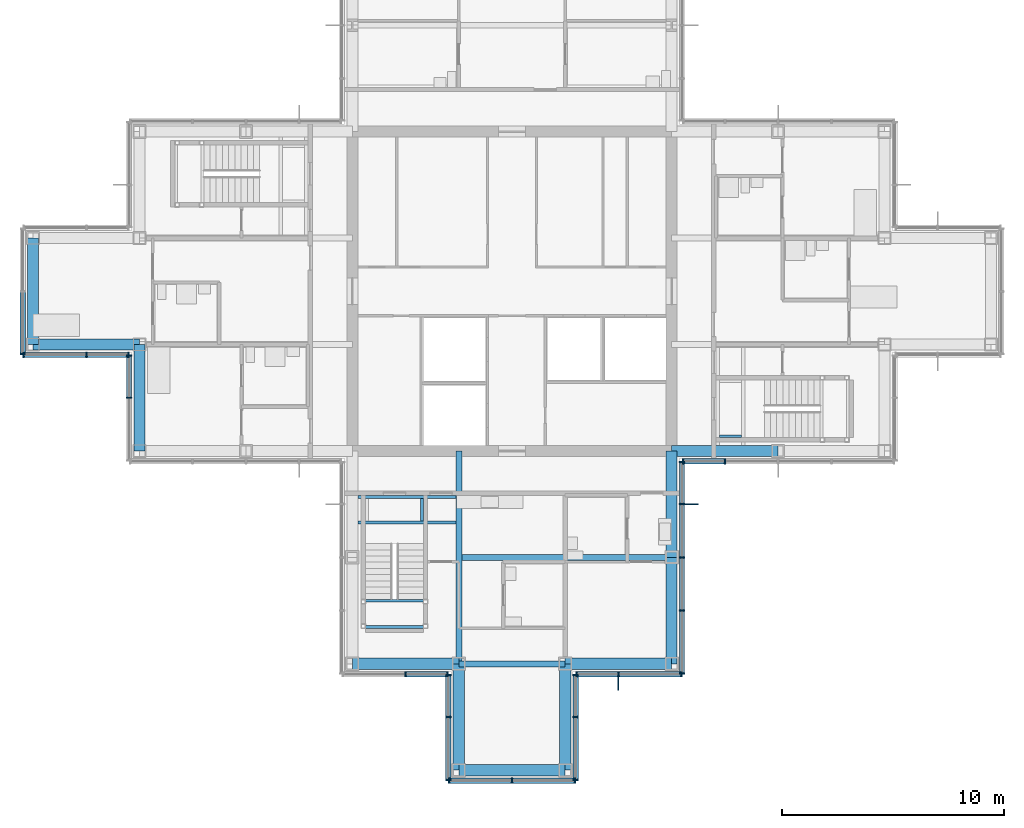
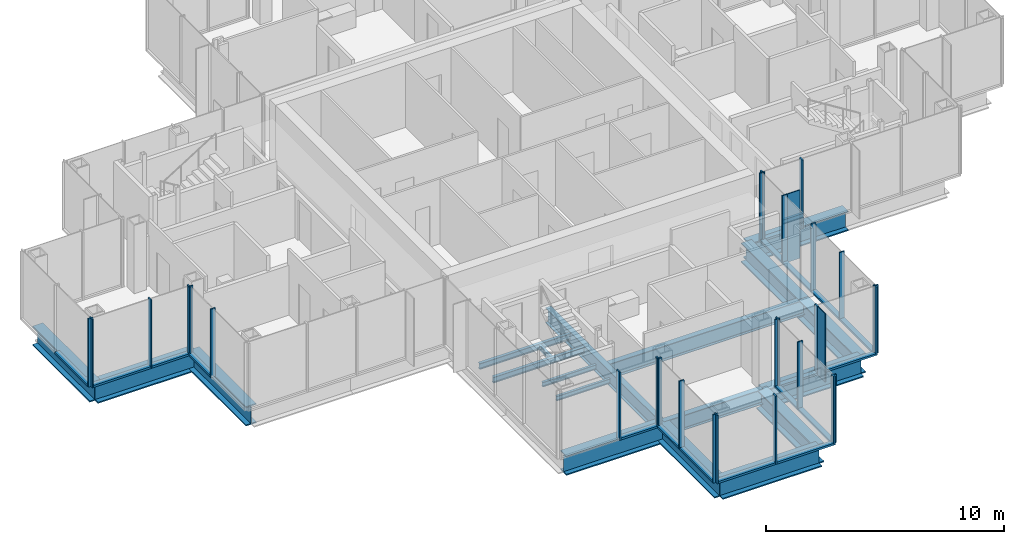
# One storey, part 6 of 17: 47 members, 20 beams, 10 elements without a shape of their own.
"""IFC4 building model written with IfcOpenShell, lengths in metres."""

from ifc_helpers import new_model, si_unit, direction, frame, origin, origin_2d, place, context, subcontext, project, spatial, rectangle, i_section, extrude, material, material_profile, profile_set, type_object, element, aggregate, save


model = new_model("IFC4")

# Units and contexts
model_context = context("Model", 3, precision=1e-05, world=origin(), true_north=direction((0.0, 1.0)))
body_context = subcontext(model_context, "Body", "Model", "MODEL_VIEW")
ifc_project = project(units=[si_unit("LENGTHUNIT", "METRE"), si_unit("AREAUNIT", "SQUARE_METRE"), si_unit("VOLUMEUNIT", "CUBIC_METRE"), si_unit("PLANEANGLEUNIT", "RADIAN"), si_unit("MASSUNIT", "GRAM", prefix="KILO")], contexts=[model_context])

# Site, building, storey
site_placement = place(None, origin())
site = spatial("IfcSite", under=ifc_project, at=site_placement, CompositionType="ELEMENT")
building_placement = place(site_placement, origin())
building = spatial("IfcBuilding", under=site, at=building_placement, Name="Kvirike Care Tower", CompositionType="ELEMENT")
storey_placement = place(building_placement, frame((0.0, 0.0, 158.5)))
storey = spatial("IfcBuildingStorey", under=building, at=storey_placement, Name="L43", CompositionType="ELEMENT", Elevation=158.5)

# Curtain wall, member
ifc_material_1 = material(Name="Anodised aluminium stick system", Category="aluminium")
curtain_wall_type = type_object("IfcCurtainWallType", Name="CW-C STICK CURTAIN WALL", PredefinedType="NOTDEFINED", material=ifc_material_1)
curtain_wall_1_placement = place(storey_placement, origin())
curtain_wall_1 = element("IfcCurtainWall", 1, at=curtain_wall_1_placement, inside=storey, type_object=curtain_wall_type, Name="Curtain wall L43 face 27", PredefinedType="NOTDEFINED")
ifc_material_2 = material(Name="Bronze anodised aluminium fin", Category="aluminium")
ifc_material_profile_1 = material_profile(ifc_material_2, rectangle(XDim=0.050048828125, YDim=0.60009765625, at=origin_2d()), Name="BRONZE FIN 600")
ifc_profile_set_1 = profile_set([ifc_material_profile_1], Name="Bronze anodised aluminium fin")
member_type_1 = type_object("IfcMemberType", Name="BRONZE FIN 600", PredefinedType="USERDEFINED", material=ifc_profile_set_1)
member_1_placement = place(storey_placement, frame((26.39990234375, 18.31005859375, 0.0), z_axis=(0.0, 0.0, 1.0), x_axis=(1.0, 0.0, 0.0)))
member_1 = element("IfcMember", 2, at=member_1_placement, type_object=member_type_1, Name="Bronze fin L43 face 27.2", ObjectType="FIN", PredefinedType="USERDEFINED", context=body_context, shape_type="SweptSolid", body=[
    extrude(rectangle(XDim=0.050048828125, YDim=0.60009765625, at=origin_2d()), origin(), (0.0, 0.0, 1.0), 3.5),
])

curtain_wall_2_placement = place(storey_placement, origin())
curtain_wall_2 = element("IfcCurtainWall", 3, at=curtain_wall_2_placement, inside=storey, type_object=curtain_wall_type, Name="Curtain wall L43 face 28", PredefinedType="NOTDEFINED")
member_2_placement = place(storey_placement, frame((29.68994140625, 26.39990234375, 0.0), z_axis=(0.0, 0.0, 1.0), x_axis=(0.0, 1.0, 0.0)))
member_2 = element("IfcMember", 4, at=member_2_placement, type_object=member_type_1, Name="Bronze fin L43 face 28.4", ObjectType="FIN", PredefinedType="USERDEFINED", context=body_context, shape_type="SweptSolid", body=[
    extrude(rectangle(XDim=0.050048828125, YDim=0.60009765625, at=origin_2d()), origin(), (0.0, 0.0, 1.0), 3.5),
])

# Curtain wall, members
curtain_wall_3_placement = place(storey_placement, origin())
curtain_wall_3 = element("IfcCurtainWall", 5, at=curtain_wall_3_placement, inside=storey, type_object=curtain_wall_type, Name="Curtain wall L43 face 1", PredefinedType="NOTDEFINED")
ifc_material_3 = material(Name="Bronze anodised aluminium mullion", Category="aluminium")
ifc_material_profile_2 = material_profile(ifc_material_3, rectangle(XDim=0.06494140625, YDim=0.239990234375, at=origin_2d()), Name="CW-C MULLION 65x240")
ifc_profile_set_2 = profile_set([ifc_material_profile_2], Name="Bronze anodised aluminium mullion")
member_type_2 = type_object("IfcMemberType", Name="CW-C MULLION 65x240", PredefinedType="MULLION", material=ifc_profile_set_2)
member_3_placement = place(storey_placement, frame((29.302490234375, 28.330078125, 0.0), z_axis=(0.0, 0.0, 1.0), x_axis=(1.0, 0.0, 0.0)))
member_3 = element("IfcMember", 6, at=member_3_placement, type_object=member_type_2, Name="CW-C mullion L43 face 1.1", PredefinedType="MULLION", context=body_context, shape_type="SweptSolid", body=[
    extrude(rectangle(XDim=0.06494140625, YDim=0.239990234375, at=origin_2d()), origin(), (0.0, 0.0, 1.0), 3.5),
])
member_4_placement = place(storey_placement, frame((31.199951171875, 28.330078125, 0.0), z_axis=(0.0, 0.0, 1.0), x_axis=(1.0, 0.0, 0.0)))
member_4 = element("IfcMember", 7, at=member_4_placement, type_object=member_type_2, Name="CW-C mullion L43 face 1.2", PredefinedType="MULLION", context=body_context, shape_type="SweptSolid", body=[
    extrude(rectangle(XDim=0.06494140625, YDim=0.239990234375, at=origin_2d()), origin(), (0.0, 0.0, 1.0), 3.5),
])

# Curtain wall, member
curtain_wall_4_placement = place(storey_placement, origin())
curtain_wall_4 = element("IfcCurtainWall", 8, at=curtain_wall_4_placement, inside=storey, type_object=curtain_wall_type, Name="Curtain wall L43 face 18", PredefinedType="NOTDEFINED")
member_5_placement = place(storey_placement, frame((-0.469970703125, 33.16259765625, 0.0), z_axis=(0.0, 0.0, 1.0), x_axis=(0.0, -1.0, 0.0)))
member_5 = element("IfcMember", 9, at=member_5_placement, type_object=member_type_2, Name="CW-C mullion L43 face 18.3", PredefinedType="MULLION", context=body_context, shape_type="SweptSolid", body=[
    extrude(rectangle(XDim=0.06494140625, YDim=0.239990234375, at=origin_2d()), origin(), (0.0, 0.0, 1.0), 3.5),
])

# Curtain wall, members
curtain_wall_5_placement = place(storey_placement, origin())
curtain_wall_5 = element("IfcCurtainWall", 10, at=curtain_wall_5_placement, inside=storey, type_object=curtain_wall_type, Name="Curtain wall L43 face 19", PredefinedType="NOTDEFINED")
member_6_placement = place(storey_placement, frame((-0.4375, 33.1298828125, 0.0), z_axis=(0.0, 0.0, 1.0), x_axis=(1.0, 0.0, 0.0)))
member_6 = element("IfcMember", 11, at=member_6_placement, type_object=member_type_2, Name="CW-C mullion L43 face 19.1", PredefinedType="MULLION", context=body_context, shape_type="SweptSolid", body=[
    extrude(rectangle(XDim=0.06494140625, YDim=0.239990234375, at=origin_2d()), origin(), (0.0, 0.0, 1.0), 3.5),
])
member_7_placement = place(storey_placement, frame((2.39990234375, 33.1298828125, 0.0), z_axis=(0.0, 0.0, 1.0), x_axis=(1.0, 0.0, 0.0)))
member_7 = element("IfcMember", 12, at=member_7_placement, type_object=member_type_2, Name="CW-C mullion L43 face 19.2", PredefinedType="MULLION", context=body_context, shape_type="SweptSolid", body=[
    extrude(rectangle(XDim=0.06494140625, YDim=0.239990234375, at=origin_2d()), origin(), (0.0, 0.0, 1.0), 3.5),
])
member_8_placement = place(storey_placement, frame((4.297607421875, 33.1298828125, 0.0), z_axis=(0.0, 0.0, 1.0), x_axis=(1.0, 0.0, 0.0)))
member_8 = element("IfcMember", 13, at=member_8_placement, type_object=member_type_2, Name="CW-C mullion L43 face 19.3", PredefinedType="MULLION", context=body_context, shape_type="SweptSolid", body=[
    extrude(rectangle(XDim=0.06494140625, YDim=0.239990234375, at=origin_2d()), origin(), (0.0, 0.0, 1.0), 3.5),
])

curtain_wall_6_placement = place(storey_placement, origin())
curtain_wall_6 = element("IfcCurtainWall", 14, at=curtain_wall_6_placement, inside=storey, type_object=curtain_wall_type, Name="Curtain wall L43 face 20", PredefinedType="NOTDEFINED")
member_9_placement = place(storey_placement, frame((4.330078125, 33.097412109375, 0.0), z_axis=(0.0, 0.0, 1.0), x_axis=(0.0, -1.0, 0.0)))
member_9 = element("IfcMember", 15, at=member_9_placement, type_object=member_type_2, Name="CW-C mullion L43 face 20.1", PredefinedType="MULLION", context=body_context, shape_type="SweptSolid", body=[
    extrude(rectangle(XDim=0.06494140625, YDim=0.239990234375, at=origin_2d()), origin(), (0.0, 0.0, 1.0), 3.5),
])
member_10_placement = place(storey_placement, frame((4.330078125, 31.199951171875, 0.0), z_axis=(0.0, 0.0, 1.0), x_axis=(0.0, -1.0, 0.0)))
member_10 = element("IfcMember", 16, at=member_10_placement, type_object=member_type_2, Name="CW-C mullion L43 face 20.2", PredefinedType="MULLION", context=body_context, shape_type="SweptSolid", body=[
    extrude(rectangle(XDim=0.06494140625, YDim=0.239990234375, at=origin_2d()), origin(), (0.0, 0.0, 1.0), 3.5),
])

curtain_wall_7_placement = place(storey_placement, origin())
curtain_wall_7 = element("IfcCurtainWall", 17, at=curtain_wall_7_placement, inside=storey, type_object=curtain_wall_type, Name="Curtain wall L43 face 23", PredefinedType="NOTDEFINED")
member_11_placement = place(storey_placement, frame((16.800048828125, 18.72998046875, 0.0), z_axis=(0.0, 0.0, 1.0), x_axis=(1.0, 0.0, 0.0)))
member_11 = element("IfcMember", 18, at=member_11_placement, type_object=member_type_2, Name="CW-C mullion L43 face 23.2", PredefinedType="MULLION", context=body_context, shape_type="SweptSolid", body=[
    extrude(rectangle(XDim=0.06494140625, YDim=0.239990234375, at=origin_2d()), origin(), (0.0, 0.0, 1.0), 3.5),
])
member_12_placement = place(storey_placement, frame((18.697509765625, 18.72998046875, 0.0), z_axis=(0.0, 0.0, 1.0), x_axis=(1.0, 0.0, 0.0)))
member_12 = element("IfcMember", 19, at=member_12_placement, type_object=member_type_2, Name="CW-C mullion L43 face 23.3", PredefinedType="MULLION", context=body_context, shape_type="SweptSolid", body=[
    extrude(rectangle(XDim=0.06494140625, YDim=0.239990234375, at=origin_2d()), origin(), (0.0, 0.0, 1.0), 3.5),
])

curtain_wall_8_placement = place(storey_placement, origin())
curtain_wall_8 = element("IfcCurtainWall", 20, at=curtain_wall_8_placement, inside=storey, type_object=curtain_wall_type, Name="Curtain wall L43 face 24", PredefinedType="NOTDEFINED")
member_13_placement = place(storey_placement, frame((18.72998046875, 18.697509765625, 0.0), z_axis=(0.0, 0.0, 1.0), x_axis=(0.0, -1.0, 0.0)))
member_13 = element("IfcMember", 21, at=member_13_placement, type_object=member_type_2, Name="CW-C mullion L43 face 24.1", PredefinedType="MULLION", context=body_context, shape_type="SweptSolid", body=[
    extrude(rectangle(XDim=0.06494140625, YDim=0.239990234375, at=origin_2d()), origin(), (0.0, 0.0, 1.0), 3.5),
])
member_14_placement = place(storey_placement, frame((18.72998046875, 16.800048828125, 0.0), z_axis=(0.0, 0.0, 1.0), x_axis=(0.0, -1.0, 0.0)))
member_14 = element("IfcMember", 22, at=member_14_placement, type_object=member_type_2, Name="CW-C mullion L43 face 24.2", PredefinedType="MULLION", context=body_context, shape_type="SweptSolid", body=[
    extrude(rectangle(XDim=0.06494140625, YDim=0.239990234375, at=origin_2d()), origin(), (0.0, 0.0, 1.0), 3.5),
])
member_15_placement = place(storey_placement, frame((18.72998046875, 13.96240234375, 0.0), z_axis=(0.0, 0.0, 1.0), x_axis=(0.0, -1.0, 0.0)))
member_15 = element("IfcMember", 23, at=member_15_placement, type_object=member_type_2, Name="CW-C mullion L43 face 24.3", PredefinedType="MULLION", context=body_context, shape_type="SweptSolid", body=[
    extrude(rectangle(XDim=0.06494140625, YDim=0.239990234375, at=origin_2d()), origin(), (0.0, 0.0, 1.0), 3.5),
])

curtain_wall_9_placement = place(storey_placement, origin())
curtain_wall_9 = element("IfcCurtainWall", 24, at=curtain_wall_9_placement, inside=storey, type_object=curtain_wall_type, Name="Curtain wall L43 face 25", PredefinedType="NOTDEFINED")
member_16_placement = place(storey_placement, frame((18.762451171875, 13.929931640625, 0.0), z_axis=(0.0, 0.0, 1.0), x_axis=(1.0, 0.0, 0.0)))
member_16 = element("IfcMember", 25, at=member_16_placement, type_object=member_type_2, Name="CW-C mullion L43 face 25.1", PredefinedType="MULLION", context=body_context, shape_type="SweptSolid", body=[
    extrude(rectangle(XDim=0.06494140625, YDim=0.239990234375, at=origin_2d()), origin(), (0.0, 0.0, 1.0), 3.5),
])
member_17_placement = place(storey_placement, frame((21.60009765625, 13.929931640625, 0.0), z_axis=(0.0, 0.0, 1.0), x_axis=(1.0, 0.0, 0.0)))
member_17 = element("IfcMember", 26, at=member_17_placement, type_object=member_type_2, Name="CW-C mullion L43 face 25.2", PredefinedType="MULLION", context=body_context, shape_type="SweptSolid", body=[
    extrude(rectangle(XDim=0.06494140625, YDim=0.239990234375, at=origin_2d()), origin(), (0.0, 0.0, 1.0), 3.5),
])
member_18_placement = place(storey_placement, frame((24.4375, 13.929931640625, 0.0), z_axis=(0.0, 0.0, 1.0), x_axis=(1.0, 0.0, 0.0)))
member_18 = element("IfcMember", 27, at=member_18_placement, type_object=member_type_2, Name="CW-C mullion L43 face 25.3", PredefinedType="MULLION", context=body_context, shape_type="SweptSolid", body=[
    extrude(rectangle(XDim=0.06494140625, YDim=0.239990234375, at=origin_2d()), origin(), (0.0, 0.0, 1.0), 3.5),
])

curtain_wall_10_placement = place(storey_placement, origin())
curtain_wall_10 = element("IfcCurtainWall", 28, at=curtain_wall_10_placement, inside=storey, type_object=curtain_wall_type, Name="Curtain wall L43 face 26", PredefinedType="NOTDEFINED")
member_19_placement = place(storey_placement, frame((24.469970703125, 13.96240234375, 0.0), z_axis=(0.0, 0.0, 1.0), x_axis=(0.0, 1.0, 0.0)))
member_19 = element("IfcMember", 29, at=member_19_placement, type_object=member_type_2, Name="CW-C mullion L43 face 26.1", PredefinedType="MULLION", context=body_context, shape_type="SweptSolid", body=[
    extrude(rectangle(XDim=0.06494140625, YDim=0.239990234375, at=origin_2d()), origin(), (0.0, 0.0, 1.0), 3.5),
])
member_20_placement = place(storey_placement, frame((24.469970703125, 16.800048828125, 0.0), z_axis=(0.0, 0.0, 1.0), x_axis=(0.0, 1.0, 0.0)))
member_20 = element("IfcMember", 30, at=member_20_placement, type_object=member_type_2, Name="CW-C mullion L43 face 26.2", PredefinedType="MULLION", context=body_context, shape_type="SweptSolid", body=[
    extrude(rectangle(XDim=0.06494140625, YDim=0.239990234375, at=origin_2d()), origin(), (0.0, 0.0, 1.0), 3.5),
])
member_21_placement = place(storey_placement, frame((24.469970703125, 18.697509765625, 0.0), z_axis=(0.0, 0.0, 1.0), x_axis=(0.0, 1.0, 0.0)))
member_21 = element("IfcMember", 31, at=member_21_placement, type_object=member_type_2, Name="CW-C mullion L43 face 26.3", PredefinedType="MULLION", context=body_context, shape_type="SweptSolid", body=[
    extrude(rectangle(XDim=0.06494140625, YDim=0.239990234375, at=origin_2d()), origin(), (0.0, 0.0, 1.0), 3.5),
])

# Member
member_22_placement = place(storey_placement, frame((24.50244140625, 18.72998046875, 0.0), z_axis=(0.0, 0.0, 1.0), x_axis=(1.0, 0.0, 0.0)))
member_22 = element("IfcMember", 32, at=member_22_placement, type_object=member_type_2, Name="CW-C mullion L43 face 27.1", PredefinedType="MULLION", context=body_context, shape_type="SweptSolid", body=[
    extrude(rectangle(XDim=0.06494140625, YDim=0.239990234375, at=origin_2d()), origin(), (0.0, 0.0, 1.0), 3.5),
])

member_23_placement = place(storey_placement, frame((26.39990234375, 18.72998046875, 0.0), z_axis=(0.0, 0.0, 1.0), x_axis=(1.0, 0.0, 0.0)))
member_23 = element("IfcMember", 33, at=member_23_placement, type_object=member_type_2, Name="CW-C mullion L43 face 27.2", PredefinedType="MULLION", context=body_context, shape_type="SweptSolid", body=[
    extrude(rectangle(XDim=0.06494140625, YDim=0.239990234375, at=origin_2d()), origin(), (0.0, 0.0, 1.0), 3.5),
])

member_24_placement = place(storey_placement, frame((29.237548828125, 18.72998046875, 0.0), z_axis=(0.0, 0.0, 1.0), x_axis=(1.0, 0.0, 0.0)))
member_24 = element("IfcMember", 34, at=member_24_placement, type_object=member_type_2, Name="CW-C mullion L43 face 27.3", PredefinedType="MULLION", context=body_context, shape_type="SweptSolid", body=[
    extrude(rectangle(XDim=0.06494140625, YDim=0.239990234375, at=origin_2d()), origin(), (0.0, 0.0, 1.0), 3.5),
])

member_25_placement = place(storey_placement, frame((29.27001953125, 18.762451171875, 0.0), z_axis=(0.0, 0.0, 1.0), x_axis=(0.0, 1.0, 0.0)))
member_25 = element("IfcMember", 35, at=member_25_placement, type_object=member_type_2, Name="CW-C mullion L43 face 28.1", PredefinedType="MULLION", context=body_context, shape_type="SweptSolid", body=[
    extrude(rectangle(XDim=0.06494140625, YDim=0.239990234375, at=origin_2d()), origin(), (0.0, 0.0, 1.0), 3.5),
])

member_26_placement = place(storey_placement, frame((29.27001953125, 21.60009765625, 0.0), z_axis=(0.0, 0.0, 1.0), x_axis=(0.0, 1.0, 0.0)))
member_26 = element("IfcMember", 36, at=member_26_placement, type_object=member_type_2, Name="CW-C mullion L43 face 28.2", PredefinedType="MULLION", context=body_context, shape_type="SweptSolid", body=[
    extrude(rectangle(XDim=0.06494140625, YDim=0.239990234375, at=origin_2d()), origin(), (0.0, 0.0, 1.0), 3.5),
])

member_27_placement = place(storey_placement, frame((29.27001953125, 24.0, 0.0), z_axis=(0.0, 0.0, 1.0), x_axis=(0.0, 1.0, 0.0)))
member_27 = element("IfcMember", 37, at=member_27_placement, type_object=member_type_2, Name="CW-C mullion L43 face 28.3", PredefinedType="MULLION", context=body_context, shape_type="SweptSolid", body=[
    extrude(rectangle(XDim=0.06494140625, YDim=0.239990234375, at=origin_2d()), origin(), (0.0, 0.0, 1.0), 3.5),
])

member_28_placement = place(storey_placement, frame((29.27001953125, 26.39990234375, 0.0), z_axis=(0.0, 0.0, 1.0), x_axis=(0.0, 1.0, 0.0)))
member_28 = element("IfcMember", 38, at=member_28_placement, type_object=member_type_2, Name="CW-C mullion L43 face 28.4", PredefinedType="MULLION", context=body_context, shape_type="SweptSolid", body=[
    extrude(rectangle(XDim=0.06494140625, YDim=0.239990234375, at=origin_2d()), origin(), (0.0, 0.0, 1.0), 3.5),
])

member_29_placement = place(storey_placement, frame((29.27001953125, 28.297607421875, 0.0), z_axis=(0.0, 0.0, 1.0), x_axis=(0.0, 1.0, 0.0)))
member_29 = element("IfcMember", 39, at=member_29_placement, type_object=member_type_2, Name="CW-C mullion L43 face 28.5", PredefinedType="MULLION", context=body_context, shape_type="SweptSolid", body=[
    extrude(rectangle(XDim=0.06494140625, YDim=0.239990234375, at=origin_2d()), origin(), (0.0, 0.0, 1.0), 3.5),
])

ifc_material_4 = material(Name="Bronze anodised aluminium transom", Category="aluminium")
ifc_material_profile_3 = material_profile(ifc_material_4, rectangle(XDim=0.239990234375, YDim=0.10009765625, at=origin_2d()), Name="CW-C TRANSOM 240x100")
ifc_profile_set_3 = profile_set([ifc_material_profile_3], Name="Bronze anodised aluminium transom")
member_type_3 = type_object("IfcMemberType", Name="CW-C TRANSOM 240x100", PredefinedType="USERDEFINED", material=ifc_profile_set_3)
member_30_placement = place(storey_placement, frame((29.3349609375, 28.330078125, 0.050048828125), z_axis=(1.0, 0.0, 0.0), x_axis=(0.0, 1.0, 0.0)))
member_30 = element("IfcMember", 40, at=member_30_placement, type_object=member_type_3, Name="CW-C sill transom L43 face 1.1", ObjectType="TRANSOM", PredefinedType="USERDEFINED", context=body_context, shape_type="SweptSolid", body=[
    extrude(rectangle(XDim=0.239990234375, YDim=0.10009765625, at=origin_2d()), origin(), (0.0, 0.0, 1.0), 1.83251953125),
])

aggregate(curtain_wall_3, [member_3, member_4, member_30])

member_31_placement = place(storey_placement, frame((-0.469970703125, 35.967529296875, 0.050048828125), z_axis=(0.0, -1.0, 0.0), x_axis=(1.0, 0.0, 0.0)))
member_31 = element("IfcMember", 41, at=member_31_placement, type_object=member_type_3, Name="CW-C sill transom L43 face 18.2", ObjectType="TRANSOM", PredefinedType="USERDEFINED", context=body_context, shape_type="SweptSolid", body=[
    extrude(rectangle(XDim=0.239990234375, YDim=0.10009765625, at=origin_2d()), origin(), (0.0, 0.0, 1.0), 2.7724609375),
])

aggregate(curtain_wall_4, [member_5, member_31])

member_32_placement = place(storey_placement, frame((-0.405029296875, 33.1298828125, 0.050048828125), z_axis=(1.0, 0.0, 0.0), x_axis=(0.0, 1.0, 0.0)))
member_32 = element("IfcMember", 42, at=member_32_placement, type_object=member_type_3, Name="CW-C sill transom L43 face 19.1", ObjectType="TRANSOM", PredefinedType="USERDEFINED", context=body_context, shape_type="SweptSolid", body=[
    extrude(rectangle(XDim=0.239990234375, YDim=0.10009765625, at=origin_2d()), origin(), (0.0, 0.0, 1.0), 2.7724609375),
])

member_33_placement = place(storey_placement, frame((2.4326171875, 33.1298828125, 0.050048828125), z_axis=(1.0, 0.0, 0.0), x_axis=(0.0, 1.0, 0.0)))
member_33 = element("IfcMember", 43, at=member_33_placement, type_object=member_type_3, Name="CW-C sill transom L43 face 19.2", ObjectType="TRANSOM", PredefinedType="USERDEFINED", context=body_context, shape_type="SweptSolid", body=[
    extrude(rectangle(XDim=0.239990234375, YDim=0.10009765625, at=origin_2d()), origin(), (0.0, 0.0, 1.0), 1.832275390625),
])

aggregate(curtain_wall_5, [member_6, member_7, member_8, member_32, member_33])

member_34_placement = place(storey_placement, frame((4.330078125, 33.06494140625, 0.050048828125), z_axis=(0.0, -1.0, 0.0), x_axis=(1.0, 0.0, 0.0)))
member_34 = element("IfcMember", 44, at=member_34_placement, type_object=member_type_3, Name="CW-C sill transom L43 face 20.1", ObjectType="TRANSOM", PredefinedType="USERDEFINED", context=body_context, shape_type="SweptSolid", body=[
    extrude(rectangle(XDim=0.239990234375, YDim=0.10009765625, at=origin_2d()), origin(), (0.0, 0.0, 1.0), 1.83251953125),
])

aggregate(curtain_wall_6, [member_9, member_10, member_34])

member_35_placement = place(storey_placement, frame((16.83251953125, 18.72998046875, 0.050048828125), z_axis=(1.0, 0.0, 0.0), x_axis=(0.0, 1.0, 0.0)))
member_35 = element("IfcMember", 45, at=member_35_placement, type_object=member_type_3, Name="CW-C sill transom L43 face 23.2", ObjectType="TRANSOM", PredefinedType="USERDEFINED", context=body_context, shape_type="SweptSolid", body=[
    extrude(rectangle(XDim=0.239990234375, YDim=0.10009765625, at=origin_2d()), origin(), (0.0, 0.0, 1.0), 1.83251953125),
])

aggregate(curtain_wall_7, [member_11, member_12, member_35])

member_36_placement = place(storey_placement, frame((18.72998046875, 18.6650390625, 0.050048828125), z_axis=(0.0, -1.0, 0.0), x_axis=(1.0, 0.0, 0.0)))
member_36 = element("IfcMember", 46, at=member_36_placement, type_object=member_type_3, Name="CW-C sill transom L43 face 24.1", ObjectType="TRANSOM", PredefinedType="USERDEFINED", context=body_context, shape_type="SweptSolid", body=[
    extrude(rectangle(XDim=0.239990234375, YDim=0.10009765625, at=origin_2d()), origin(), (0.0, 0.0, 1.0), 1.83251953125),
])

member_37_placement = place(storey_placement, frame((18.72998046875, 16.767578125, 0.050048828125), z_axis=(0.0, -1.0, 0.0), x_axis=(1.0, 0.0, 0.0)))
member_37 = element("IfcMember", 47, at=member_37_placement, type_object=member_type_3, Name="CW-C sill transom L43 face 24.2", ObjectType="TRANSOM", PredefinedType="USERDEFINED", context=body_context, shape_type="SweptSolid", body=[
    extrude(rectangle(XDim=0.239990234375, YDim=0.10009765625, at=origin_2d()), origin(), (0.0, 0.0, 1.0), 2.7724609375),
])

aggregate(curtain_wall_8, [member_13, member_14, member_15, member_36, member_37])

member_38_placement = place(storey_placement, frame((18.794921875, 13.929931640625, 0.050048828125), z_axis=(1.0, 0.0, 0.0), x_axis=(0.0, 1.0, 0.0)))
member_38 = element("IfcMember", 48, at=member_38_placement, type_object=member_type_3, Name="CW-C sill transom L43 face 25.1", ObjectType="TRANSOM", PredefinedType="USERDEFINED", context=body_context, shape_type="SweptSolid", body=[
    extrude(rectangle(XDim=0.239990234375, YDim=0.10009765625, at=origin_2d()), origin(), (0.0, 0.0, 1.0), 2.7724609375),
])

member_39_placement = place(storey_placement, frame((21.632568359375, 13.929931640625, 0.050048828125), z_axis=(1.0, 0.0, 0.0), x_axis=(0.0, 1.0, 0.0)))
member_39 = element("IfcMember", 49, at=member_39_placement, type_object=member_type_3, Name="CW-C sill transom L43 face 25.2", ObjectType="TRANSOM", PredefinedType="USERDEFINED", context=body_context, shape_type="SweptSolid", body=[
    extrude(rectangle(XDim=0.239990234375, YDim=0.10009765625, at=origin_2d()), origin(), (0.0, 0.0, 1.0), 2.7724609375),
])

aggregate(curtain_wall_9, [member_16, member_17, member_18, member_38, member_39])

member_40_placement = place(storey_placement, frame((24.469970703125, 13.9951171875, 0.050048828125), z_axis=(0.0, 1.0, 0.0), x_axis=(-1.0, 0.0, 0.0)))
member_40 = element("IfcMember", 50, at=member_40_placement, type_object=member_type_3, Name="CW-C sill transom L43 face 26.1", ObjectType="TRANSOM", PredefinedType="USERDEFINED", context=body_context, shape_type="SweptSolid", body=[
    extrude(rectangle(XDim=0.239990234375, YDim=0.10009765625, at=origin_2d()), origin(), (0.0, 0.0, 1.0), 2.7724609375),
])

member_41_placement = place(storey_placement, frame((24.469970703125, 16.83251953125, 0.050048828125), z_axis=(0.0, 1.0, 0.0), x_axis=(-1.0, 0.0, 0.0)))
member_41 = element("IfcMember", 51, at=member_41_placement, type_object=member_type_3, Name="CW-C sill transom L43 face 26.2", ObjectType="TRANSOM", PredefinedType="USERDEFINED", context=body_context, shape_type="SweptSolid", body=[
    extrude(rectangle(XDim=0.239990234375, YDim=0.10009765625, at=origin_2d()), origin(), (0.0, 0.0, 1.0), 1.83251953125),
])

aggregate(curtain_wall_10, [member_19, member_20, member_21, member_40, member_41])

member_42_placement = place(storey_placement, frame((24.534912109375, 18.72998046875, 0.050048828125), z_axis=(1.0, 0.0, 0.0), x_axis=(0.0, 1.0, 0.0)))
member_42 = element("IfcMember", 52, at=member_42_placement, type_object=member_type_3, Name="CW-C sill transom L43 face 27.1", ObjectType="TRANSOM", PredefinedType="USERDEFINED", context=body_context, shape_type="SweptSolid", body=[
    extrude(rectangle(XDim=0.239990234375, YDim=0.10009765625, at=origin_2d()), origin(), (0.0, 0.0, 1.0), 1.83251953125),
])

member_43_placement = place(storey_placement, frame((26.4326171875, 18.72998046875, 0.050048828125), z_axis=(1.0, 0.0, 0.0), x_axis=(0.0, 1.0, 0.0)))
member_43 = element("IfcMember", 53, at=member_43_placement, type_object=member_type_3, Name="CW-C sill transom L43 face 27.2", ObjectType="TRANSOM", PredefinedType="USERDEFINED", context=body_context, shape_type="SweptSolid", body=[
    extrude(rectangle(XDim=0.239990234375, YDim=0.10009765625, at=origin_2d()), origin(), (0.0, 0.0, 1.0), 2.7724609375),
])

aggregate(curtain_wall_1, [member_22, member_23, member_1, member_24, member_42, member_43])

member_44_placement = place(storey_placement, frame((29.27001953125, 18.794921875, 0.050048828125), z_axis=(0.0, 1.0, 0.0), x_axis=(-1.0, 0.0, 0.0)))
member_44 = element("IfcMember", 54, at=member_44_placement, type_object=member_type_3, Name="CW-C sill transom L43 face 28.1", ObjectType="TRANSOM", PredefinedType="USERDEFINED", context=body_context, shape_type="SweptSolid", body=[
    extrude(rectangle(XDim=0.239990234375, YDim=0.10009765625, at=origin_2d()), origin(), (0.0, 0.0, 1.0), 2.7724609375),
])

member_45_placement = place(storey_placement, frame((29.27001953125, 21.632568359375, 0.050048828125), z_axis=(0.0, 1.0, 0.0), x_axis=(-1.0, 0.0, 0.0)))
member_45 = element("IfcMember", 55, at=member_45_placement, type_object=member_type_3, Name="CW-C sill transom L43 face 28.2", ObjectType="TRANSOM", PredefinedType="USERDEFINED", context=body_context, shape_type="SweptSolid", body=[
    extrude(rectangle(XDim=0.239990234375, YDim=0.10009765625, at=origin_2d()), origin(), (0.0, 0.0, 1.0), 2.3349609375),
])

member_46_placement = place(storey_placement, frame((29.27001953125, 24.032470703125, 0.050048828125), z_axis=(0.0, 1.0, 0.0), x_axis=(-1.0, 0.0, 0.0)))
member_46 = element("IfcMember", 56, at=member_46_placement, type_object=member_type_3, Name="CW-C sill transom L43 face 28.3", ObjectType="TRANSOM", PredefinedType="USERDEFINED", context=body_context, shape_type="SweptSolid", body=[
    extrude(rectangle(XDim=0.239990234375, YDim=0.10009765625, at=origin_2d()), origin(), (0.0, 0.0, 1.0), 2.3349609375),
])

member_47_placement = place(storey_placement, frame((29.27001953125, 26.4326171875, 0.050048828125), z_axis=(0.0, 1.0, 0.0), x_axis=(-1.0, 0.0, 0.0)))
member_47 = element("IfcMember", 57, at=member_47_placement, type_object=member_type_3, Name="CW-C sill transom L43 face 28.4", ObjectType="TRANSOM", PredefinedType="USERDEFINED", context=body_context, shape_type="SweptSolid", body=[
    extrude(rectangle(XDim=0.239990234375, YDim=0.10009765625, at=origin_2d()), origin(), (0.0, 0.0, 1.0), 1.832275390625),
])

aggregate(curtain_wall_2, [member_25, member_26, member_27, member_28, member_2, member_29, member_44, member_45, member_46, member_47])

# Beams
ifc_material_5 = material(Name="Steel S355", Category="steel")
ifc_material_profile_4 = material_profile(ifc_material_5, i_section(OverallWidth=0.26806640625, OverallDepth=0.77001953125, WebThickness=0.015625, FlangeThickness=0.025390625, FilletRadius=0.01708984375, at=origin_2d()), Name="IPE 750x196")
ifc_profile_set_4 = profile_set([ifc_material_profile_4], Name="Steel S355")
beam_type_1 = type_object("IfcBeamType", Name="FLOOR BEAM IPE 750x196", PredefinedType="BEAM", material=ifc_profile_set_4)
beam_1_placement = place(storey_placement, frame((19.199951171875, 19.199951171875, -0.554931640625), z_axis=(1.0, 0.0, 0.0), x_axis=(0.0, 1.0, 0.0)))
element("IfcBeam", 58, at=beam_1_placement, inside=storey, type_object=beam_type_1, Name="Floor Beam E7-E8 L43", PredefinedType="BEAM", context=body_context, shape_type="SweptSolid", body=[
    extrude(i_section(OverallWidth=0.26806640625, OverallDepth=0.77001953125, WebThickness=0.015625, FlangeThickness=0.025390625, FilletRadius=0.01708984375, at=origin_2d()), origin(), (0.0, 0.0, 1.0), 4.800048828125),
])
for number, where, z_axis, x_axis, name in (
    (59, (19.199951171875, 24.0, -0.554931640625), (1.0, 0.0, 0.0), (0.0, 1.0, 0.0), "Floor Beam F7-F9 L43"),
    (60, (19.199951171875, 19.199951171875, -0.554931640625), (0.0, 1.0, 0.0), (-1.0, 0.0, 0.0), "Floor Beam E7-G7 L43"),
):
    element("IfcBeam", number, at=place(storey_placement, frame(where, z_axis=z_axis, x_axis=x_axis)), inside=storey, type_object=beam_type_1, Name=name, PredefinedType="BEAM", context=body_context, shape_type="SweptSolid", body=[
        extrude(i_section(OverallWidth=0.26806640625, OverallDepth=0.77001953125, WebThickness=0.015625, FlangeThickness=0.025390625, FilletRadius=0.01708984375, at=origin_2d()), origin(), (0.0, 0.0, 1.0), 9.60009765625),
    ])
ifc_material_6 = material(Name="Steel S355", Category="steel")
ifc_material_profile_5 = material_profile(ifc_material_6, i_section(OverallWidth=0.5, OverallDepth=1.0, WebThickness=0.030029296875, FlangeThickness=0.06005859375, at=origin_2d()), Name="PG 1000x500x30x60")
ifc_profile_set_5 = profile_set([ifc_material_profile_5], Name="Steel S355")
beam_type_2 = type_object("IfcBeamType", Name="SPANDREL PG 1000x500x30x60", PredefinedType="SPANDREL", material=ifc_profile_set_5)
for number, where, z_axis, x_axis, name in (
    (61, (19.199951171875, 14.39990234375, -0.669921875), (1.0, 0.0, 0.0), (0.0, 1.0, 0.0), "Spandrel D7-D8 L43"),
    (62, (14.39990234375, 19.199951171875, -0.669921875), (1.0, 0.0, 0.0), (0.0, 1.0, 0.0), "Spandrel E6-E7 L43"),
    (63, (24.0, 19.199951171875, -0.669921875), (1.0, 0.0, 0.0), (0.0, 1.0, 0.0), "Spandrel E8-E9 L43"),
    (64, (28.800048828125, 28.800048828125, -0.669921875), (1.0, 0.0, 0.0), (0.0, 1.0, 0.0), "Spandrel G9-G10 L43"),
    (65, (0.0, 33.60009765625, -0.669921875), (1.0, 0.0, 0.0), (0.0, 1.0, 0.0), "Spandrel H3-H4 L43"),
):
    element("IfcBeam", number, at=place(storey_placement, frame(where, z_axis=z_axis, x_axis=x_axis)), inside=storey, type_object=beam_type_2, Name=name, PredefinedType="SPANDREL", context=body_context, shape_type="SweptSolid", body=[
        extrude(i_section(OverallWidth=0.5, OverallDepth=1.0, WebThickness=0.030029296875, FlangeThickness=0.06005859375, at=origin_2d()), origin(), (0.0, 0.0, 1.0), 4.800048828125),
    ])
beam_2_placement = place(storey_placement, frame((0.0, 33.60009765625, -0.669921875), z_axis=(0.0, 1.0, 0.0), x_axis=(-1.0, 0.0, 0.0)))
element("IfcBeam", 66, at=beam_2_placement, inside=storey, type_object=beam_type_2, Name="Spandrel H3-J3 L43", PredefinedType="SPANDREL", context=body_context, shape_type="SweptSolid", body=[
    extrude(i_section(OverallWidth=0.5, OverallDepth=1.0, WebThickness=0.030029296875, FlangeThickness=0.06005859375, at=origin_2d()), origin(), (0.0, 0.0, 1.0), 4.7998046875),
])
for number, where, z_axis, x_axis, name in (
    (67, (4.800048828125, 28.800048828125, -0.669921875), (0.0, 1.0, 0.0), (-1.0, 0.0, 0.0), "Spandrel G4-H4 L43"),
    (68, (19.199951171875, 14.39990234375, -0.669921875), (0.0, 1.0, 0.0), (-1.0, 0.0, 0.0), "Spandrel D7-E7 L43"),
    (69, (24.0, 14.39990234375, -0.669921875), (0.0, 1.0, 0.0), (-1.0, 0.0, 0.0), "Spandrel D8-E8 L43"),
    (70, (28.800048828125, 19.199951171875, -0.669921875), (0.0, 1.0, 0.0), (-1.0, 0.0, 0.0), "Spandrel E9-F9 L43"),
    (71, (28.800048828125, 24.0, -0.669921875), (0.0, 1.0, 0.0), (-1.0, 0.0, 0.0), "Spandrel F9-G9 L43"),
):
    element("IfcBeam", number, at=place(storey_placement, frame(where, z_axis=z_axis, x_axis=x_axis)), inside=storey, type_object=beam_type_2, Name=name, PredefinedType="SPANDREL", context=body_context, shape_type="SweptSolid", body=[
        extrude(i_section(OverallWidth=0.5, OverallDepth=1.0, WebThickness=0.030029296875, FlangeThickness=0.06005859375, at=origin_2d()), origin(), (0.0, 0.0, 1.0), 4.800048828125),
    ])
ifc_material_7 = material(Name="Steel S355", Category="steel")
ifc_material_profile_6 = material_profile(ifc_material_7, i_section(OverallWidth=0.1201171875, OverallDepth=0.239990234375, WebThickness=0.006103515625, FlangeThickness=0.009765625, FilletRadius=0.014892578125, at=origin_2d()), Name="IPE 240")
ifc_profile_set_6 = profile_set([ifc_material_profile_6], Name="Steel S355")
beam_type_3 = type_object("IfcBeamType", Name="STAIR LANDING BEAM IPE 240", PredefinedType="BEAM", material=ifc_profile_set_6)
beam_3_placement = place(storey_placement, frame((31.949951171875, 29.4599609375, -0.320068359375), z_axis=(-1.0, 0.0, 0.0), x_axis=(0.0, -1.0, 0.0)))
element("IfcBeam", 72, at=beam_3_placement, inside=storey, type_object=beam_type_3, Name="Stair 2 landing edge beam 1 L43", PredefinedType="BEAM", context=body_context, shape_type="SweptSolid", body=[
    extrude(i_section(OverallWidth=0.1201171875, OverallDepth=0.239990234375, WebThickness=0.006103515625, FlangeThickness=0.009765625, FilletRadius=0.014892578125, at=origin_2d()), origin(), (0.0, 0.0, 1.0), 1.0),
])
for number, where, z_axis, x_axis, name in (
    (73, (15.0, 20.860107421875, 1.429931640625), (1.0, 0.0, 0.0), (0.0, 1.0, 0.0), "Stair 5 landing beam back L43"),
    (74, (15.0, 22.0400390625, 1.429931640625), (1.0, 0.0, 0.0), (0.0, 1.0, 0.0), "Stair 5 landing beam front L43"),
):
    element("IfcBeam", number, at=place(storey_placement, frame(where, z_axis=z_axis, x_axis=x_axis)), inside=storey, type_object=beam_type_3, Name=name, PredefinedType="BEAM", context=body_context, shape_type="SweptSolid", body=[
        extrude(i_section(OverallWidth=0.1201171875, OverallDepth=0.239990234375, WebThickness=0.006103515625, FlangeThickness=0.009765625, FilletRadius=0.014892578125, at=origin_2d()), origin(), (0.0, 0.0, 1.0), 2.60009765625),
    ])
beam_4_placement = place(storey_placement, frame((17.5400390625, 25.64990234375, -0.320068359375), z_axis=(0.0, 1.0, 0.0), x_axis=(-1.0, 0.0, 0.0)))
element("IfcBeam", 75, at=beam_4_placement, inside=storey, type_object=beam_type_3, Name="Stair 5 landing edge beam 2 L43", PredefinedType="BEAM", context=body_context, shape_type="SweptSolid", body=[
    extrude(i_section(OverallWidth=0.1201171875, OverallDepth=0.239990234375, WebThickness=0.006103515625, FlangeThickness=0.009765625, FilletRadius=0.014892578125, at=origin_2d()), origin(), (0.0, 0.0, 1.0), 1.0),
])
ifc_material_8 = material(Name="Steel S355", Category="steel")
ifc_material_profile_7 = material_profile(ifc_material_8, i_section(OverallWidth=0.14990234375, OverallDepth=0.300048828125, WebThickness=0.007080078125, FlangeThickness=0.0107421875, FilletRadius=0.014892578125, at=origin_2d()), Name="IPE 300")
ifc_profile_set_7 = profile_set([ifc_material_profile_7], Name="Steel S355")
beam_type_4 = type_object("IfcBeamType", Name="STAIR TRIMMER IPE 300", PredefinedType="BEAM", material=ifc_profile_set_7)
for number, where, z_axis, x_axis, name in (
    (76, (14.64990234375, 25.574951171875, -0.35009765625), (1.0, 0.0, 0.0), (0.0, 1.0, 0.0), "Stair 5 trimmer 1 L43"),
    (77, (14.64990234375, 26.72509765625, -0.35009765625), (1.0, 0.0, 0.0), (0.0, 1.0, 0.0), "Stair 5 trimmer 2 L43"),
):
    element("IfcBeam", number, at=place(storey_placement, frame(where, z_axis=z_axis, x_axis=x_axis)), inside=storey, type_object=beam_type_4, Name=name, PredefinedType="BEAM", context=body_context, shape_type="SweptSolid", body=[
        extrude(i_section(OverallWidth=0.14990234375, OverallDepth=0.300048828125, WebThickness=0.007080078125, FlangeThickness=0.0107421875, FilletRadius=0.014892578125, at=origin_2d()), origin(), (0.0, 0.0, 1.0), 4.416015625),
    ])

save(model, "model.ifc")
